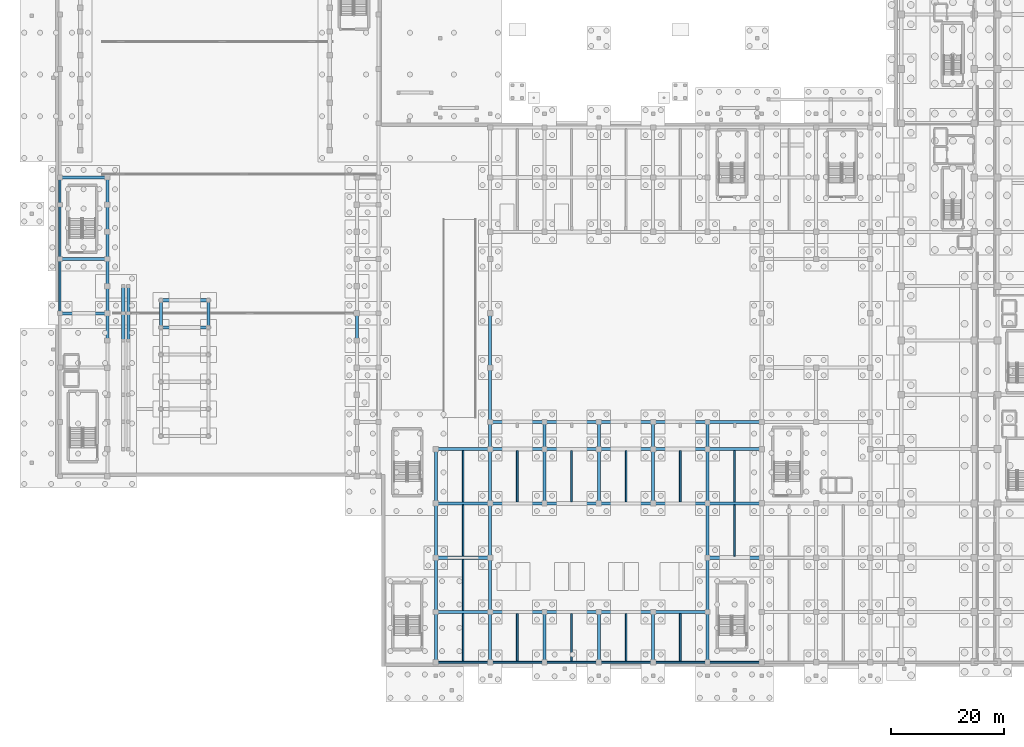
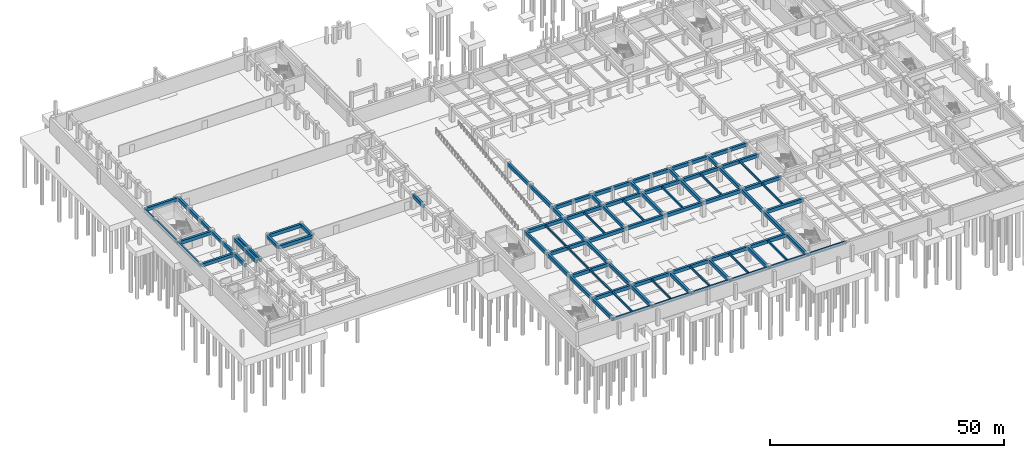
# One storey, part 11 of 39: 90 beams.
"""IFC4 building model written with IfcOpenShell, lengths in metres."""

from ifc_helpers import new_model, si_unit, direction, frame, origin, origin_2d, place, context, subcontext, project, spatial, rectangle, extrude, material, material_profile, profile_set, type_object, element, save


model = new_model("IFC4")

# Units and contexts
model_context = context("Model", 3, precision=1e-05, world=origin(), true_north=direction((0.0, 1.0)))
body_context = subcontext(model_context, "Body", "Model", "MODEL_VIEW")
ifc_project = project(units=[si_unit("LENGTHUNIT", "METRE"), si_unit("AREAUNIT", "SQUARE_METRE"), si_unit("VOLUMEUNIT", "CUBIC_METRE"), si_unit("PLANEANGLEUNIT", "RADIAN"), si_unit("MASSUNIT", "GRAM", prefix="KILO")], contexts=[model_context])

# Site, building, storey
site_placement = place(None, origin())
site = spatial("IfcSite", under=ifc_project, at=site_placement, CompositionType="ELEMENT")
building_placement = place(site_placement, origin())
building = spatial("IfcBuilding", under=site, at=building_placement, Name="Nakhvara Creek Congress Hotel", CompositionType="ELEMENT")
storey_placement = place(building_placement, frame((0.0, 0.0, -8.39990234375)))
storey = spatial("IfcBuildingStorey", under=building, at=storey_placement, Name="B2", CompositionType="ELEMENT", Elevation=-8.39990234375)

# Beams
ifc_material_1 = material(Name="Concrete C40/50", Category="concrete")
ifc_material_profile_1 = material_profile(ifc_material_1, rectangle(XDim=0.300048828125, YDim=0.5, at=origin_2d()), Name="RC-BM 300x500", Category="LoadBearing")
ifc_profile_set_1 = profile_set([ifc_material_profile_1], Name="Concrete C40/50")
beam_type_1 = type_object("IfcBeamType", Name="BM-JST-300X500", PredefinedType="JOIST", material=ifc_profile_set_1)
beam_1_placement = place(storey_placement, frame((72.0, 0.925048828125, 3.60986328125), z_axis=(0.0, 1.0, 0.0), x_axis=(-1.0, 0.0, 0.0)))
element("IfcBeam", 1, at=beam_1_placement, inside=storey, type_object=beam_type_1, Name="Secondary Joist BJ1-B2-0334", PredefinedType="JOIST", context=body_context, shape_type="SweptSolid", body=[
    extrude(rectangle(XDim=0.300048828125, YDim=0.5, at=origin_2d()), origin(), (0.0, 0.0, 1.0), 8.39990234375),
])
beam_2_placement = place(storey_placement, frame((72.0, 9.875, 3.60986328125), z_axis=(0.0, 1.0, 0.0), x_axis=(-1.0, 0.0, 0.0)))
element("IfcBeam", 2, at=beam_2_placement, inside=storey, type_object=beam_type_1, Name="Secondary Joist BJ1-B2-0335", PredefinedType="JOIST", context=body_context, shape_type="SweptSolid", body=[
    extrude(rectangle(XDim=0.300048828125, YDim=0.5, at=origin_2d()), origin(), (0.0, 0.0, 1.0), 9.050048828125),
])
beam_3_placement = place(storey_placement, frame((72.0, 19.47509765625, 3.60986328125), z_axis=(0.0, 1.0, 0.0), x_axis=(-1.0, 0.0, 0.0)))
element("IfcBeam", 3, at=beam_3_placement, inside=storey, type_object=beam_type_1, Name="Secondary Joist BJ1-B2-0336", PredefinedType="JOIST", context=body_context, shape_type="SweptSolid", body=[
    extrude(rectangle(XDim=0.300048828125, YDim=0.5, at=origin_2d()), origin(), (0.0, 0.0, 1.0), 9.0498046875),
])
beam_4_placement = place(storey_placement, frame((72.0, 29.074951171875, 3.60986328125), z_axis=(0.0, 1.0, 0.0), x_axis=(-1.0, 0.0, 0.0)))
element("IfcBeam", 4, at=beam_4_placement, inside=storey, type_object=beam_type_1, Name="Secondary Joist BJ1-B2-0337", PredefinedType="JOIST", context=body_context, shape_type="SweptSolid", body=[
    extrude(rectangle(XDim=0.300048828125, YDim=0.5, at=origin_2d()), origin(), (0.0, 0.0, 1.0), 9.050048828125),
])
beam_5_placement = place(storey_placement, frame((81.60009765625, 0.925048828125, 3.60986328125), z_axis=(0.0, 1.0, 0.0), x_axis=(-1.0, 0.0, 0.0)))
element("IfcBeam", 5, at=beam_5_placement, inside=storey, type_object=beam_type_1, Name="Secondary Joist BJ1-B2-0338", PredefinedType="JOIST", context=body_context, shape_type="SweptSolid", body=[
    extrude(rectangle(XDim=0.300048828125, YDim=0.5, at=origin_2d()), origin(), (0.0, 0.0, 1.0), 8.39990234375),
])
beam_6_placement = place(storey_placement, frame((81.60009765625, 29.074951171875, 3.60986328125), z_axis=(0.0, 1.0, 0.0), x_axis=(-1.0, 0.0, 0.0)))
element("IfcBeam", 6, at=beam_6_placement, inside=storey, type_object=beam_type_1, Name="Secondary Joist BJ1-B2-0339", PredefinedType="JOIST", context=body_context, shape_type="SweptSolid", body=[
    extrude(rectangle(XDim=0.300048828125, YDim=0.5, at=origin_2d()), origin(), (0.0, 0.0, 1.0), 9.050048828125),
])
beam_7_placement = place(storey_placement, frame((91.199951171875, 0.925048828125, 3.60986328125), z_axis=(0.0, 1.0, 0.0), x_axis=(-1.0, 0.0, 0.0)))
element("IfcBeam", 7, at=beam_7_placement, inside=storey, type_object=beam_type_1, Name="Secondary Joist BJ1-B2-0342", PredefinedType="JOIST", context=body_context, shape_type="SweptSolid", body=[
    extrude(rectangle(XDim=0.300048828125, YDim=0.5, at=origin_2d()), origin(), (0.0, 0.0, 1.0), 8.39990234375),
])
beam_8_placement = place(storey_placement, frame((91.199951171875, 29.074951171875, 3.60986328125), z_axis=(0.0, 1.0, 0.0), x_axis=(-1.0, 0.0, 0.0)))
element("IfcBeam", 8, at=beam_8_placement, inside=storey, type_object=beam_type_1, Name="Secondary Joist BJ1-B2-0343", PredefinedType="JOIST", context=body_context, shape_type="SweptSolid", body=[
    extrude(rectangle(XDim=0.300048828125, YDim=0.5, at=origin_2d()), origin(), (0.0, 0.0, 1.0), 9.050048828125),
])
beam_9_placement = place(storey_placement, frame((100.800048828125, 0.925048828125, 3.60986328125), z_axis=(0.0, 1.0, 0.0), x_axis=(-1.0, 0.0, 0.0)))
element("IfcBeam", 9, at=beam_9_placement, inside=storey, type_object=beam_type_1, Name="Secondary Joist BJ1-B2-0346", PredefinedType="JOIST", context=body_context, shape_type="SweptSolid", body=[
    extrude(rectangle(XDim=0.300048828125, YDim=0.5, at=origin_2d()), origin(), (0.0, 0.0, 1.0), 8.39990234375),
])
beam_10_placement = place(storey_placement, frame((100.800048828125, 29.074951171875, 3.60986328125), z_axis=(0.0, 1.0, 0.0), x_axis=(-1.0, 0.0, 0.0)))
element("IfcBeam", 10, at=beam_10_placement, inside=storey, type_object=beam_type_1, Name="Secondary Joist BJ1-B2-0347", PredefinedType="JOIST", context=body_context, shape_type="SweptSolid", body=[
    extrude(rectangle(XDim=0.300048828125, YDim=0.5, at=origin_2d()), origin(), (0.0, 0.0, 1.0), 9.050048828125),
])
beam_11_placement = place(storey_placement, frame((110.39990234375, 0.925048828125, 3.60986328125), z_axis=(0.0, 1.0, 0.0), x_axis=(-1.0, 0.0, 0.0)))
element("IfcBeam", 11, at=beam_11_placement, inside=storey, type_object=beam_type_1, Name="Secondary Joist BJ1-B2-0350", PredefinedType="JOIST", context=body_context, shape_type="SweptSolid", body=[
    extrude(rectangle(XDim=0.300048828125, YDim=0.5, at=origin_2d()), origin(), (0.0, 0.0, 1.0), 8.39990234375),
])
beam_12_placement = place(storey_placement, frame((110.39990234375, 29.074951171875, 3.60986328125), z_axis=(0.0, 1.0, 0.0), x_axis=(-1.0, 0.0, 0.0)))
element("IfcBeam", 12, at=beam_12_placement, inside=storey, type_object=beam_type_1, Name="Secondary Joist BJ1-B2-0351", PredefinedType="JOIST", context=body_context, shape_type="SweptSolid", body=[
    extrude(rectangle(XDim=0.300048828125, YDim=0.5, at=origin_2d()), origin(), (0.0, 0.0, 1.0), 9.050048828125),
])
beam_13_placement = place(storey_placement, frame((120.0, 19.47509765625, 3.60986328125), z_axis=(0.0, 1.0, 0.0), x_axis=(-1.0, 0.0, 0.0)))
element("IfcBeam", 13, at=beam_13_placement, inside=storey, type_object=beam_type_1, Name="Secondary Joist BJ1-B2-0354", PredefinedType="JOIST", context=body_context, shape_type="SweptSolid", body=[
    extrude(rectangle(XDim=0.300048828125, YDim=0.5, at=origin_2d()), origin(), (0.0, 0.0, 1.0), 9.0498046875),
])
beam_14_placement = place(storey_placement, frame((120.0, 29.074951171875, 3.60986328125), z_axis=(0.0, 1.0, 0.0), x_axis=(-1.0, 0.0, 0.0)))
element("IfcBeam", 14, at=beam_14_placement, inside=storey, type_object=beam_type_1, Name="Secondary Joist BJ1-B2-0355", PredefinedType="JOIST", context=body_context, shape_type="SweptSolid", body=[
    extrude(rectangle(XDim=0.300048828125, YDim=0.5, at=origin_2d()), origin(), (0.0, 0.0, 1.0), 9.050048828125),
])
ifc_material_2 = material(Name="Concrete C50/60", Category="concrete")
ifc_material_profile_2 = material_profile(ifc_material_2, rectangle(XDim=0.550048828125, YDim=0.8798828125, at=origin_2d()), Name="RC-BM 550x880", Category="LoadBearing")
ifc_profile_set_2 = profile_set([ifc_material_profile_2], Name="Concrete C50/60")
beam_type_2 = type_object("IfcBeamType", Name="BM-RC-550X880", PredefinedType="BEAM", material=ifc_profile_set_2)
for number, where, z_axis, x_axis, name in (
    (15, (0.75, 62.39990234375, 3.419921875), (1.0, 0.0, 0.0), (0.0, 1.0, 0.0), "Beam B15-B2-0013"),
    (16, (0.75, 72.0, 3.419921875), (1.0, 0.0, 0.0), (0.0, 1.0, 0.0), "Beam B15-B2-0017"),
    (17, (0.75, 86.39990234375, 3.419921875), (1.0, 0.0, 0.0), (0.0, 1.0, 0.0), "Beam B15-B2-0023"),
):
    element("IfcBeam", number, at=place(storey_placement, frame(where, z_axis=z_axis, x_axis=x_axis)), inside=storey, type_object=beam_type_2, Name=name, PredefinedType="BEAM", context=body_context, shape_type="SweptSolid", body=[
        extrude(rectangle(XDim=0.550048828125, YDim=0.8798828125, at=origin_2d()), origin(), (0.0, 0.0, 1.0), 8.39990234375),
    ])
for number, where, z_axis, x_axis, name in (
    (18, (9.14990234375, 57.60009765625, 3.419921875), (0.0, 1.0, 0.0), (-1.0, 0.0, 0.0), "Beam B15-B2-0037"),
    (19, (53.25, 57.60009765625, 3.419921875), (0.0, 1.0, 0.0), (-1.0, 0.0, 0.0), "Beam B15-B2-0038"),
):
    element("IfcBeam", number, at=place(storey_placement, frame(where, z_axis=z_axis, x_axis=x_axis)), inside=storey, type_object=beam_type_2, Name=name, PredefinedType="BEAM", context=body_context, shape_type="SweptSolid", body=[
        extrude(rectangle(XDim=0.550048828125, YDim=0.8798828125, at=origin_2d()), origin(), (0.0, 0.0, 1.0), 4.7998046875),
    ])
for number, where, z_axis, x_axis, name in (
    (20, (9.14990234375, 62.39990234375, 3.419921875), (0.0, 1.0, 0.0), (-1.0, 0.0, 0.0), "Beam B15-B2-0039"),
    (21, (9.14990234375, 67.199951171875, 3.419921875), (0.0, 1.0, 0.0), (-1.0, 0.0, 0.0), "Beam B15-B2-0041"),
    (22, (9.14990234375, 72.0, 3.419921875), (0.0, 1.0, 0.0), (-1.0, 0.0, 0.0), "Beam B15-B2-0043"),
    (23, (9.14990234375, 76.800048828125, 3.419921875), (0.0, 1.0, 0.0), (-1.0, 0.0, 0.0), "Beam B15-B2-0045"),
):
    element("IfcBeam", number, at=place(storey_placement, frame(where, z_axis=z_axis, x_axis=x_axis)), inside=storey, type_object=beam_type_2, Name=name, PredefinedType="BEAM", context=body_context, shape_type="SweptSolid", body=[
        extrude(rectangle(XDim=0.550048828125, YDim=0.8798828125, at=origin_2d()), origin(), (0.0, 0.0, 1.0), 4.800048828125),
    ])
for number, where, z_axis, x_axis, name in (
    (24, (9.14990234375, 81.60009765625, 3.419921875), (0.0, 1.0, 0.0), (-1.0, 0.0, 0.0), "Beam B15-B2-0047"),
    (25, (11.949951171875, 57.60009765625, 3.419921875), (0.0, 1.0, 0.0), (-1.0, 0.0, 0.0), "Beam B15-B2-0057"),
    (26, (12.85009765625, 57.60009765625, 3.419921875), (0.0, 1.0, 0.0), (-1.0, 0.0, 0.0), "Beam B15-B2-0058"),
):
    element("IfcBeam", number, at=place(storey_placement, frame(where, z_axis=z_axis, x_axis=x_axis)), inside=storey, type_object=beam_type_2, Name=name, PredefinedType="BEAM", context=body_context, shape_type="SweptSolid", body=[
        extrude(rectangle(XDim=0.550048828125, YDim=0.8798828125, at=origin_2d()), origin(), (0.0, 0.0, 1.0), 4.7998046875),
    ])
for number, where, z_axis, x_axis, name in (
    (27, (11.949951171875, 62.39990234375, 3.419921875), (0.0, 1.0, 0.0), (-1.0, 0.0, 0.0), "Beam B15-B2-0059"),
    (28, (12.85009765625, 62.39990234375, 3.419921875), (0.0, 1.0, 0.0), (-1.0, 0.0, 0.0), "Beam B15-B2-0060"),
):
    element("IfcBeam", number, at=place(storey_placement, frame(where, z_axis=z_axis, x_axis=x_axis)), inside=storey, type_object=beam_type_2, Name=name, PredefinedType="BEAM", context=body_context, shape_type="SweptSolid", body=[
        extrude(rectangle(XDim=0.550048828125, YDim=0.8798828125, at=origin_2d()), origin(), (0.0, 0.0, 1.0), 4.800048828125),
    ])
beam_15_placement = place(storey_placement, frame((18.60009765625, 59.89990234375, 3.419921875), z_axis=(1.0, 0.0, 0.0), x_axis=(0.0, 1.0, 0.0)))
element("IfcBeam", 29, at=beam_15_placement, inside=storey, type_object=beam_type_2, Name="Beam B15-B2-0073", PredefinedType="BEAM", context=body_context, shape_type="SweptSolid", body=[
    extrude(rectangle(XDim=0.550048828125, YDim=0.8798828125, at=origin_2d()), origin(), (0.0, 0.0, 1.0), 8.39990234375),
])
for number, where, z_axis, x_axis, name in (
    (30, (18.60009765625, 59.89990234375, 3.419921875), (0.0, 1.0, 0.0), (-1.0, 0.0, 0.0), "Beam B15-B2-0074"),
    (31, (27.0, 59.89990234375, 3.419921875), (0.0, 1.0, 0.0), (-1.0, 0.0, 0.0), "Beam B15-B2-0075"),
):
    element("IfcBeam", number, at=place(storey_placement, frame(where, z_axis=z_axis, x_axis=x_axis)), inside=storey, type_object=beam_type_2, Name=name, PredefinedType="BEAM", context=body_context, shape_type="SweptSolid", body=[
        extrude(rectangle(XDim=0.550048828125, YDim=0.8798828125, at=origin_2d()), origin(), (0.0, 0.0, 1.0), 4.800048828125),
    ])
beam_16_placement = place(storey_placement, frame((18.60009765625, 64.699951171875, 3.419921875), z_axis=(1.0, 0.0, 0.0), x_axis=(0.0, 1.0, 0.0)))
element("IfcBeam", 32, at=beam_16_placement, inside=storey, type_object=beam_type_2, Name="Beam B15-B2-0076", PredefinedType="BEAM", context=body_context, shape_type="SweptSolid", body=[
    extrude(rectangle(XDim=0.550048828125, YDim=0.8798828125, at=origin_2d()), origin(), (0.0, 0.0, 1.0), 8.39990234375),
])
beam_17_placement = place(storey_placement, frame((67.199951171875, 0.75, 3.419921875), z_axis=(0.0, 1.0, 0.0), x_axis=(-1.0, 0.0, 0.0)))
element("IfcBeam", 33, at=beam_17_placement, inside=storey, type_object=beam_type_2, Name="Beam B15-B2-0097", PredefinedType="BEAM", context=body_context, shape_type="SweptSolid", body=[
    extrude(rectangle(XDim=0.550048828125, YDim=0.8798828125, at=origin_2d()), origin(), (0.0, 0.0, 1.0), 8.85009765625),
])
beam_18_placement = place(storey_placement, frame((67.199951171875, 9.60009765625, 3.419921875), z_axis=(0.0, 1.0, 0.0), x_axis=(-1.0, 0.0, 0.0)))
element("IfcBeam", 34, at=beam_18_placement, inside=storey, type_object=beam_type_2, Name="Beam B15-B2-0099", PredefinedType="BEAM", context=body_context, shape_type="SweptSolid", body=[
    extrude(rectangle(XDim=0.550048828125, YDim=0.8798828125, at=origin_2d()), origin(), (0.0, 0.0, 1.0), 9.599853515625),
])
for number, where, z_axis, x_axis, name in (
    (35, (67.199951171875, 9.60009765625, 3.419921875), (1.0, 0.0, 0.0), (0.0, 1.0, 0.0), "Beam B15-B2-0100"),
    (36, (67.199951171875, 19.199951171875, 3.419921875), (0.0, 1.0, 0.0), (-1.0, 0.0, 0.0), "Beam B15-B2-0101"),
    (37, (67.199951171875, 19.199951171875, 3.419921875), (1.0, 0.0, 0.0), (0.0, 1.0, 0.0), "Beam B15-B2-0102"),
):
    element("IfcBeam", number, at=place(storey_placement, frame(where, z_axis=z_axis, x_axis=x_axis)), inside=storey, type_object=beam_type_2, Name=name, PredefinedType="BEAM", context=body_context, shape_type="SweptSolid", body=[
        extrude(rectangle(XDim=0.550048828125, YDim=0.8798828125, at=origin_2d()), origin(), (0.0, 0.0, 1.0), 9.60009765625),
    ])
beam_19_placement = place(storey_placement, frame((67.199951171875, 28.800048828125, 3.419921875), z_axis=(0.0, 1.0, 0.0), x_axis=(-1.0, 0.0, 0.0)))
element("IfcBeam", 38, at=beam_19_placement, inside=storey, type_object=beam_type_2, Name="Beam B15-B2-0103", PredefinedType="BEAM", context=body_context, shape_type="SweptSolid", body=[
    extrude(rectangle(XDim=0.550048828125, YDim=0.8798828125, at=origin_2d()), origin(), (0.0, 0.0, 1.0), 9.599853515625),
])
for number, where, z_axis, x_axis, name in (
    (39, (67.199951171875, 28.800048828125, 3.419921875), (1.0, 0.0, 0.0), (0.0, 1.0, 0.0), "Beam B15-B2-0104"),
    (40, (67.199951171875, 38.39990234375, 3.419921875), (1.0, 0.0, 0.0), (0.0, 1.0, 0.0), "Beam B15-B2-0105"),
):
    element("IfcBeam", number, at=place(storey_placement, frame(where, z_axis=z_axis, x_axis=x_axis)), inside=storey, type_object=beam_type_2, Name=name, PredefinedType="BEAM", context=body_context, shape_type="SweptSolid", body=[
        extrude(rectangle(XDim=0.550048828125, YDim=0.8798828125, at=origin_2d()), origin(), (0.0, 0.0, 1.0), 9.60009765625),
    ])
beam_20_placement = place(storey_placement, frame((76.800048828125, 0.75, 3.419921875), z_axis=(0.0, 1.0, 0.0), x_axis=(-1.0, 0.0, 0.0)))
element("IfcBeam", 41, at=beam_20_placement, inside=storey, type_object=beam_type_2, Name="Beam B15-B2-0106", PredefinedType="BEAM", context=body_context, shape_type="SweptSolid", body=[
    extrude(rectangle(XDim=0.550048828125, YDim=0.8798828125, at=origin_2d()), origin(), (0.0, 0.0, 1.0), 8.85009765625),
])
for number, where, z_axis, x_axis, name in (
    (42, (76.800048828125, 9.60009765625, 3.419921875), (0.0, 1.0, 0.0), (-1.0, 0.0, 0.0), "Beam B15-B2-0108"),
    (43, (76.800048828125, 9.60009765625, 3.419921875), (1.0, 0.0, 0.0), (0.0, 1.0, 0.0), "Beam B15-B2-0109"),
):
    element("IfcBeam", number, at=place(storey_placement, frame(where, z_axis=z_axis, x_axis=x_axis)), inside=storey, type_object=beam_type_2, Name=name, PredefinedType="BEAM", context=body_context, shape_type="SweptSolid", body=[
        extrude(rectangle(XDim=0.550048828125, YDim=0.8798828125, at=origin_2d()), origin(), (0.0, 0.0, 1.0), 9.599853515625),
    ])
beam_21_placement = place(storey_placement, frame((76.800048828125, 19.199951171875, 3.419921875), z_axis=(0.0, 1.0, 0.0), x_axis=(-1.0, 0.0, 0.0)))
element("IfcBeam", 44, at=beam_21_placement, inside=storey, type_object=beam_type_2, Name="Beam B15-B2-0110", PredefinedType="BEAM", context=body_context, shape_type="SweptSolid", body=[
    extrude(rectangle(XDim=0.550048828125, YDim=0.8798828125, at=origin_2d()), origin(), (0.0, 0.0, 1.0), 9.60009765625),
])
for number, where, z_axis, x_axis, name in (
    (45, (76.800048828125, 28.800048828125, 3.419921875), (0.0, 1.0, 0.0), (-1.0, 0.0, 0.0), "Beam B15-B2-0111"),
    (46, (76.800048828125, 28.800048828125, 3.419921875), (1.0, 0.0, 0.0), (0.0, 1.0, 0.0), "Beam B15-B2-0112"),
):
    element("IfcBeam", number, at=place(storey_placement, frame(where, z_axis=z_axis, x_axis=x_axis)), inside=storey, type_object=beam_type_2, Name=name, PredefinedType="BEAM", context=body_context, shape_type="SweptSolid", body=[
        extrude(rectangle(XDim=0.550048828125, YDim=0.8798828125, at=origin_2d()), origin(), (0.0, 0.0, 1.0), 9.599853515625),
    ])
beam_22_placement = place(storey_placement, frame((76.800048828125, 38.39990234375, 3.419921875), z_axis=(0.0, 1.0, 0.0), x_axis=(-1.0, 0.0, 0.0)))
element("IfcBeam", 47, at=beam_22_placement, inside=storey, type_object=beam_type_2, Name="Beam B15-B2-0113", PredefinedType="BEAM", context=body_context, shape_type="SweptSolid", body=[
    extrude(rectangle(XDim=0.550048828125, YDim=0.8798828125, at=origin_2d()), origin(), (0.0, 0.0, 1.0), 4.800048828125),
])
beam_23_placement = place(storey_placement, frame((76.800048828125, 38.39990234375, 3.419921875), z_axis=(1.0, 0.0, 0.0), x_axis=(0.0, 1.0, 0.0)))
element("IfcBeam", 48, at=beam_23_placement, inside=storey, type_object=beam_type_2, Name="Beam B15-B2-0114", PredefinedType="BEAM", context=body_context, shape_type="SweptSolid", body=[
    extrude(rectangle(XDim=0.550048828125, YDim=0.8798828125, at=origin_2d()), origin(), (0.0, 0.0, 1.0), 9.599853515625),
])
beam_24_placement = place(storey_placement, frame((76.800048828125, 43.199951171875, 3.419921875), z_axis=(0.0, 1.0, 0.0), x_axis=(-1.0, 0.0, 0.0)))
element("IfcBeam", 49, at=beam_24_placement, inside=storey, type_object=beam_type_2, Name="Beam B15-B2-0115", PredefinedType="BEAM", context=body_context, shape_type="SweptSolid", body=[
    extrude(rectangle(XDim=0.550048828125, YDim=0.8798828125, at=origin_2d()), origin(), (0.0, 0.0, 1.0), 9.60009765625),
])
for number, where, z_axis, x_axis, name in (
    (50, (76.800048828125, 43.199951171875, 3.419921875), (1.0, 0.0, 0.0), (0.0, 1.0, 0.0), "Beam B15-B2-0116"),
    (51, (76.800048828125, 52.800048828125, 3.419921875), (0.0, 1.0, 0.0), (-1.0, 0.0, 0.0), "Beam B15-B2-0117"),
):
    element("IfcBeam", number, at=place(storey_placement, frame(where, z_axis=z_axis, x_axis=x_axis)), inside=storey, type_object=beam_type_2, Name=name, PredefinedType="BEAM", context=body_context, shape_type="SweptSolid", body=[
        extrude(rectangle(XDim=0.550048828125, YDim=0.8798828125, at=origin_2d()), origin(), (0.0, 0.0, 1.0), 9.599853515625),
    ])
beam_25_placement = place(storey_placement, frame((86.39990234375, 0.75, 3.419921875), z_axis=(0.0, 1.0, 0.0), x_axis=(-1.0, 0.0, 0.0)))
element("IfcBeam", 52, at=beam_25_placement, inside=storey, type_object=beam_type_2, Name="Beam B15-B2-0125", PredefinedType="BEAM", context=body_context, shape_type="SweptSolid", body=[
    extrude(rectangle(XDim=0.550048828125, YDim=0.8798828125, at=origin_2d()), origin(), (0.0, 0.0, 1.0), 8.85009765625),
])
beam_26_placement = place(storey_placement, frame((86.39990234375, 9.60009765625, 3.419921875), z_axis=(1.0, 0.0, 0.0), x_axis=(0.0, 1.0, 0.0)))
element("IfcBeam", 53, at=beam_26_placement, inside=storey, type_object=beam_type_2, Name="Beam B15-B2-0127", PredefinedType="BEAM", context=body_context, shape_type="SweptSolid", body=[
    extrude(rectangle(XDim=0.550048828125, YDim=0.8798828125, at=origin_2d()), origin(), (0.0, 0.0, 1.0), 9.60009765625),
])
beam_27_placement = place(storey_placement, frame((86.39990234375, 28.800048828125, 3.419921875), z_axis=(0.0, 1.0, 0.0), x_axis=(-1.0, 0.0, 0.0)))
element("IfcBeam", 54, at=beam_27_placement, inside=storey, type_object=beam_type_2, Name="Beam B15-B2-0128", PredefinedType="BEAM", context=body_context, shape_type="SweptSolid", body=[
    extrude(rectangle(XDim=0.550048828125, YDim=0.8798828125, at=origin_2d()), origin(), (0.0, 0.0, 1.0), 9.599853515625),
])
beam_28_placement = place(storey_placement, frame((86.39990234375, 28.800048828125, 3.419921875), z_axis=(1.0, 0.0, 0.0), x_axis=(0.0, 1.0, 0.0)))
element("IfcBeam", 55, at=beam_28_placement, inside=storey, type_object=beam_type_2, Name="Beam B15-B2-0129", PredefinedType="BEAM", context=body_context, shape_type="SweptSolid", body=[
    extrude(rectangle(XDim=0.550048828125, YDim=0.8798828125, at=origin_2d()), origin(), (0.0, 0.0, 1.0), 9.60009765625),
])
beam_29_placement = place(storey_placement, frame((86.39990234375, 38.39990234375, 3.419921875), z_axis=(0.0, 1.0, 0.0), x_axis=(-1.0, 0.0, 0.0)))
element("IfcBeam", 56, at=beam_29_placement, inside=storey, type_object=beam_type_2, Name="Beam B15-B2-0130", PredefinedType="BEAM", context=body_context, shape_type="SweptSolid", body=[
    extrude(rectangle(XDim=0.550048828125, YDim=0.8798828125, at=origin_2d()), origin(), (0.0, 0.0, 1.0), 4.800048828125),
])
for number, where, z_axis, x_axis, name in (
    (57, (86.39990234375, 38.39990234375, 3.419921875), (1.0, 0.0, 0.0), (0.0, 1.0, 0.0), "Beam B15-B2-0131"),
    (58, (86.39990234375, 43.199951171875, 3.419921875), (1.0, 0.0, 0.0), (0.0, 1.0, 0.0), "Beam B15-B2-0132"),
):
    element("IfcBeam", number, at=place(storey_placement, frame(where, z_axis=z_axis, x_axis=x_axis)), inside=storey, type_object=beam_type_2, Name=name, PredefinedType="BEAM", context=body_context, shape_type="SweptSolid", body=[
        extrude(rectangle(XDim=0.550048828125, YDim=0.8798828125, at=origin_2d()), origin(), (0.0, 0.0, 1.0), 9.60009765625),
    ])
beam_30_placement = place(storey_placement, frame((96.0, 0.75, 3.419921875), z_axis=(0.0, 1.0, 0.0), x_axis=(-1.0, 0.0, 0.0)))
element("IfcBeam", 59, at=beam_30_placement, inside=storey, type_object=beam_type_2, Name="Beam B15-B2-0138", PredefinedType="BEAM", context=body_context, shape_type="SweptSolid", body=[
    extrude(rectangle(XDim=0.550048828125, YDim=0.8798828125, at=origin_2d()), origin(), (0.0, 0.0, 1.0), 8.85009765625),
])
beam_31_placement = place(storey_placement, frame((96.0, 9.60009765625, 3.419921875), z_axis=(1.0, 0.0, 0.0), x_axis=(0.0, 1.0, 0.0)))
element("IfcBeam", 60, at=beam_31_placement, inside=storey, type_object=beam_type_2, Name="Beam B15-B2-0140", PredefinedType="BEAM", context=body_context, shape_type="SweptSolid", body=[
    extrude(rectangle(XDim=0.550048828125, YDim=0.8798828125, at=origin_2d()), origin(), (0.0, 0.0, 1.0), 9.60009765625),
])
beam_32_placement = place(storey_placement, frame((96.0, 28.800048828125, 3.419921875), z_axis=(0.0, 1.0, 0.0), x_axis=(-1.0, 0.0, 0.0)))
element("IfcBeam", 61, at=beam_32_placement, inside=storey, type_object=beam_type_2, Name="Beam B15-B2-0141", PredefinedType="BEAM", context=body_context, shape_type="SweptSolid", body=[
    extrude(rectangle(XDim=0.550048828125, YDim=0.8798828125, at=origin_2d()), origin(), (0.0, 0.0, 1.0), 9.599853515625),
])
beam_33_placement = place(storey_placement, frame((96.0, 28.800048828125, 3.419921875), z_axis=(1.0, 0.0, 0.0), x_axis=(0.0, 1.0, 0.0)))
element("IfcBeam", 62, at=beam_33_placement, inside=storey, type_object=beam_type_2, Name="Beam B15-B2-0142", PredefinedType="BEAM", context=body_context, shape_type="SweptSolid", body=[
    extrude(rectangle(XDim=0.550048828125, YDim=0.8798828125, at=origin_2d()), origin(), (0.0, 0.0, 1.0), 9.60009765625),
])
beam_34_placement = place(storey_placement, frame((96.0, 38.39990234375, 3.419921875), z_axis=(0.0, 1.0, 0.0), x_axis=(-1.0, 0.0, 0.0)))
element("IfcBeam", 63, at=beam_34_placement, inside=storey, type_object=beam_type_2, Name="Beam B15-B2-0143", PredefinedType="BEAM", context=body_context, shape_type="SweptSolid", body=[
    extrude(rectangle(XDim=0.550048828125, YDim=0.8798828125, at=origin_2d()), origin(), (0.0, 0.0, 1.0), 4.800048828125),
])
for number, where, z_axis, x_axis, name in (
    (64, (96.0, 38.39990234375, 3.419921875), (1.0, 0.0, 0.0), (0.0, 1.0, 0.0), "Beam B15-B2-0144"),
    (65, (96.0, 43.199951171875, 3.419921875), (1.0, 0.0, 0.0), (0.0, 1.0, 0.0), "Beam B15-B2-0145"),
):
    element("IfcBeam", number, at=place(storey_placement, frame(where, z_axis=z_axis, x_axis=x_axis)), inside=storey, type_object=beam_type_2, Name=name, PredefinedType="BEAM", context=body_context, shape_type="SweptSolid", body=[
        extrude(rectangle(XDim=0.550048828125, YDim=0.8798828125, at=origin_2d()), origin(), (0.0, 0.0, 1.0), 9.60009765625),
    ])
beam_35_placement = place(storey_placement, frame((105.60009765625, 0.75, 3.419921875), z_axis=(0.0, 1.0, 0.0), x_axis=(-1.0, 0.0, 0.0)))
element("IfcBeam", 66, at=beam_35_placement, inside=storey, type_object=beam_type_2, Name="Beam B15-B2-0151", PredefinedType="BEAM", context=body_context, shape_type="SweptSolid", body=[
    extrude(rectangle(XDim=0.550048828125, YDim=0.8798828125, at=origin_2d()), origin(), (0.0, 0.0, 1.0), 8.85009765625),
])
for number, where, z_axis, x_axis, name in (
    (67, (105.60009765625, 9.60009765625, 3.419921875), (1.0, 0.0, 0.0), (0.0, 1.0, 0.0), "Beam B15-B2-0153"),
    (68, (105.60009765625, 28.800048828125, 3.419921875), (0.0, 1.0, 0.0), (-1.0, 0.0, 0.0), "Beam B15-B2-0154"),
    (69, (105.60009765625, 28.800048828125, 3.419921875), (1.0, 0.0, 0.0), (0.0, 1.0, 0.0), "Beam B15-B2-0155"),
):
    element("IfcBeam", number, at=place(storey_placement, frame(where, z_axis=z_axis, x_axis=x_axis)), inside=storey, type_object=beam_type_2, Name=name, PredefinedType="BEAM", context=body_context, shape_type="SweptSolid", body=[
        extrude(rectangle(XDim=0.550048828125, YDim=0.8798828125, at=origin_2d()), origin(), (0.0, 0.0, 1.0), 9.599853515625),
    ])
beam_36_placement = place(storey_placement, frame((105.60009765625, 38.39990234375, 3.419921875), z_axis=(0.0, 1.0, 0.0), x_axis=(-1.0, 0.0, 0.0)))
element("IfcBeam", 70, at=beam_36_placement, inside=storey, type_object=beam_type_2, Name="Beam B15-B2-0156", PredefinedType="BEAM", context=body_context, shape_type="SweptSolid", body=[
    extrude(rectangle(XDim=0.550048828125, YDim=0.8798828125, at=origin_2d()), origin(), (0.0, 0.0, 1.0), 4.800048828125),
])
for number, where, z_axis, x_axis, name in (
    (71, (105.60009765625, 38.39990234375, 3.419921875), (1.0, 0.0, 0.0), (0.0, 1.0, 0.0), "Beam B15-B2-0157"),
    (72, (105.60009765625, 43.199951171875, 3.419921875), (1.0, 0.0, 0.0), (0.0, 1.0, 0.0), "Beam B15-B2-0158"),
):
    element("IfcBeam", number, at=place(storey_placement, frame(where, z_axis=z_axis, x_axis=x_axis)), inside=storey, type_object=beam_type_2, Name=name, PredefinedType="BEAM", context=body_context, shape_type="SweptSolid", body=[
        extrude(rectangle(XDim=0.550048828125, YDim=0.8798828125, at=origin_2d()), origin(), (0.0, 0.0, 1.0), 9.599853515625),
    ])
beam_37_placement = place(storey_placement, frame((115.199951171875, 0.75, 3.419921875), z_axis=(0.0, 1.0, 0.0), x_axis=(-1.0, 0.0, 0.0)))
element("IfcBeam", 73, at=beam_37_placement, inside=storey, type_object=beam_type_2, Name="Beam B15-B2-0164", PredefinedType="BEAM", context=body_context, shape_type="SweptSolid", body=[
    extrude(rectangle(XDim=0.550048828125, YDim=0.8798828125, at=origin_2d()), origin(), (0.0, 0.0, 1.0), 8.85009765625),
])
beam_38_placement = place(storey_placement, frame((115.199951171875, 9.60009765625, 3.419921875), z_axis=(0.0, 1.0, 0.0), x_axis=(-1.0, 0.0, 0.0)))
element("IfcBeam", 74, at=beam_38_placement, inside=storey, type_object=beam_type_2, Name="Beam B15-B2-0166", PredefinedType="BEAM", context=body_context, shape_type="SweptSolid", body=[
    extrude(rectangle(XDim=0.550048828125, YDim=0.8798828125, at=origin_2d()), origin(), (0.0, 0.0, 1.0), 9.599853515625),
])
for number, where, z_axis, x_axis, name in (
    (75, (115.199951171875, 19.199951171875, 3.419921875), (0.0, 1.0, 0.0), (-1.0, 0.0, 0.0), "Beam B15-B2-0167"),
    (76, (115.199951171875, 19.199951171875, 3.419921875), (1.0, 0.0, 0.0), (0.0, 1.0, 0.0), "Beam B15-B2-0168"),
):
    element("IfcBeam", number, at=place(storey_placement, frame(where, z_axis=z_axis, x_axis=x_axis)), inside=storey, type_object=beam_type_2, Name=name, PredefinedType="BEAM", context=body_context, shape_type="SweptSolid", body=[
        extrude(rectangle(XDim=0.550048828125, YDim=0.8798828125, at=origin_2d()), origin(), (0.0, 0.0, 1.0), 9.60009765625),
    ])
beam_39_placement = place(storey_placement, frame((115.199951171875, 28.800048828125, 3.419921875), z_axis=(0.0, 1.0, 0.0), x_axis=(-1.0, 0.0, 0.0)))
element("IfcBeam", 77, at=beam_39_placement, inside=storey, type_object=beam_type_2, Name="Beam B15-B2-0169", PredefinedType="BEAM", context=body_context, shape_type="SweptSolid", body=[
    extrude(rectangle(XDim=0.550048828125, YDim=0.8798828125, at=origin_2d()), origin(), (0.0, 0.0, 1.0), 9.599853515625),
])
beam_40_placement = place(storey_placement, frame((115.199951171875, 28.800048828125, 3.419921875), z_axis=(1.0, 0.0, 0.0), x_axis=(0.0, 1.0, 0.0)))
element("IfcBeam", 78, at=beam_40_placement, inside=storey, type_object=beam_type_2, Name="Beam B15-B2-0170", PredefinedType="BEAM", context=body_context, shape_type="SweptSolid", body=[
    extrude(rectangle(XDim=0.550048828125, YDim=0.8798828125, at=origin_2d()), origin(), (0.0, 0.0, 1.0), 9.60009765625),
])
beam_41_placement = place(storey_placement, frame((115.199951171875, 38.39990234375, 3.419921875), z_axis=(0.0, 1.0, 0.0), x_axis=(-1.0, 0.0, 0.0)))
element("IfcBeam", 79, at=beam_41_placement, inside=storey, type_object=beam_type_2, Name="Beam B15-B2-0171", PredefinedType="BEAM", context=body_context, shape_type="SweptSolid", body=[
    extrude(rectangle(XDim=0.550048828125, YDim=0.8798828125, at=origin_2d()), origin(), (0.0, 0.0, 1.0), 4.800048828125),
])
for number, where, z_axis, x_axis, name in (
    (80, (115.199951171875, 38.39990234375, 3.419921875), (1.0, 0.0, 0.0), (0.0, 1.0, 0.0), "Beam B15-B2-0172"),
    (81, (115.199951171875, 43.199951171875, 3.419921875), (1.0, 0.0, 0.0), (0.0, 1.0, 0.0), "Beam B15-B2-0173"),
):
    element("IfcBeam", number, at=place(storey_placement, frame(where, z_axis=z_axis, x_axis=x_axis)), inside=storey, type_object=beam_type_2, Name=name, PredefinedType="BEAM", context=body_context, shape_type="SweptSolid", body=[
        extrude(rectangle(XDim=0.550048828125, YDim=0.8798828125, at=origin_2d()), origin(), (0.0, 0.0, 1.0), 9.60009765625),
    ])
ifc_material_profile_3 = material_profile(ifc_material_1, rectangle(XDim=0.35009765625, YDim=0.75, at=origin_2d()), Name="RC-SPANDREL 350x750", Category="LoadBearing")
ifc_profile_set_3 = profile_set([ifc_material_profile_3], Name="Concrete C40/50")
beam_type_3 = type_object("IfcBeamType", Name="BM-SPN-350X750", PredefinedType="SPANDREL", material=ifc_profile_set_3)
for number, where, z_axis, x_axis, name in (
    (82, (0.75, 62.39990234375, 3.48486328125), (0.0, 1.0, 0.0), (-1.0, 0.0, 0.0), "Beam SP1-B2-0012"),
    (83, (0.75, 72.0, 3.48486328125), (0.0, 1.0, 0.0), (-1.0, 0.0, 0.0), "Beam SP1-B2-0016"),
):
    element("IfcBeam", number, at=place(storey_placement, frame(where, z_axis=z_axis, x_axis=x_axis)), inside=storey, type_object=beam_type_3, Name=name, PredefinedType="SPANDREL", context=body_context, shape_type="SweptSolid", body=[
        extrude(rectangle(XDim=0.35009765625, YDim=0.75, at=origin_2d()), origin(), (0.0, 0.0, 1.0), 9.60009765625),
    ])
beam_42_placement = place(storey_placement, frame((0.75, 81.60009765625, 3.48486328125), z_axis=(0.0, 1.0, 0.0), x_axis=(-1.0, 0.0, 0.0)))
element("IfcBeam", 84, at=beam_42_placement, inside=storey, type_object=beam_type_3, Name="Beam SP1-B2-0020", PredefinedType="SPANDREL", context=body_context, shape_type="SweptSolid", body=[
    extrude(rectangle(XDim=0.35009765625, YDim=0.75, at=origin_2d()), origin(), (0.0, 0.0, 1.0), 4.7998046875),
])
beam_43_placement = place(storey_placement, frame((67.199951171875, 0.75, 3.48486328125), z_axis=(1.0, 0.0, 0.0), x_axis=(0.0, 1.0, 0.0)))
element("IfcBeam", 85, at=beam_43_placement, inside=storey, type_object=beam_type_3, Name="Beam SP1-B2-0098", PredefinedType="SPANDREL", context=body_context, shape_type="SweptSolid", body=[
    extrude(rectangle(XDim=0.35009765625, YDim=0.75, at=origin_2d()), origin(), (0.0, 0.0, 1.0), 9.60009765625),
])
beam_44_placement = place(storey_placement, frame((76.800048828125, 0.75, 3.48486328125), z_axis=(1.0, 0.0, 0.0), x_axis=(0.0, 1.0, 0.0)))
element("IfcBeam", 86, at=beam_44_placement, inside=storey, type_object=beam_type_3, Name="Beam SP1-B2-0107", PredefinedType="SPANDREL", context=body_context, shape_type="SweptSolid", body=[
    extrude(rectangle(XDim=0.35009765625, YDim=0.75, at=origin_2d()), origin(), (0.0, 0.0, 1.0), 9.599853515625),
])
for number, where, z_axis, x_axis, name in (
    (87, (86.39990234375, 0.75, 3.48486328125), (1.0, 0.0, 0.0), (0.0, 1.0, 0.0), "Beam SP1-B2-0126"),
    (88, (96.0, 0.75, 3.48486328125), (1.0, 0.0, 0.0), (0.0, 1.0, 0.0), "Beam SP1-B2-0139"),
):
    element("IfcBeam", number, at=place(storey_placement, frame(where, z_axis=z_axis, x_axis=x_axis)), inside=storey, type_object=beam_type_3, Name=name, PredefinedType="SPANDREL", context=body_context, shape_type="SweptSolid", body=[
        extrude(rectangle(XDim=0.35009765625, YDim=0.75, at=origin_2d()), origin(), (0.0, 0.0, 1.0), 9.60009765625),
    ])
beam_45_placement = place(storey_placement, frame((105.60009765625, 0.75, 3.48486328125), z_axis=(1.0, 0.0, 0.0), x_axis=(0.0, 1.0, 0.0)))
element("IfcBeam", 89, at=beam_45_placement, inside=storey, type_object=beam_type_3, Name="Beam SP1-B2-0152", PredefinedType="SPANDREL", context=body_context, shape_type="SweptSolid", body=[
    extrude(rectangle(XDim=0.35009765625, YDim=0.75, at=origin_2d()), origin(), (0.0, 0.0, 1.0), 9.599853515625),
])
beam_46_placement = place(storey_placement, frame((115.199951171875, 0.75, 3.48486328125), z_axis=(1.0, 0.0, 0.0), x_axis=(0.0, 1.0, 0.0)))
element("IfcBeam", 90, at=beam_46_placement, inside=storey, type_object=beam_type_3, Name="Beam SP1-B2-0165", PredefinedType="SPANDREL", context=body_context, shape_type="SweptSolid", body=[
    extrude(rectangle(XDim=0.35009765625, YDim=0.75, at=origin_2d()), origin(), (0.0, 0.0, 1.0), 9.60009765625),
])

save(model, "model.ifc")
